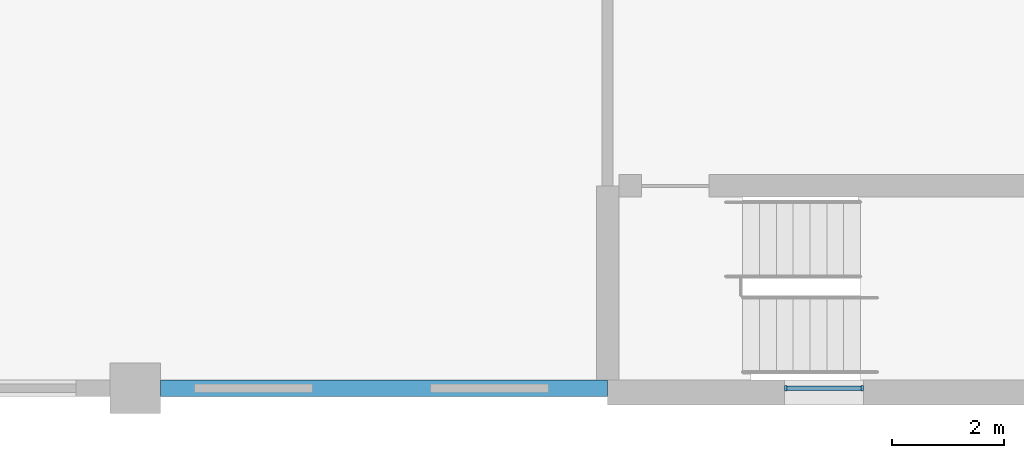
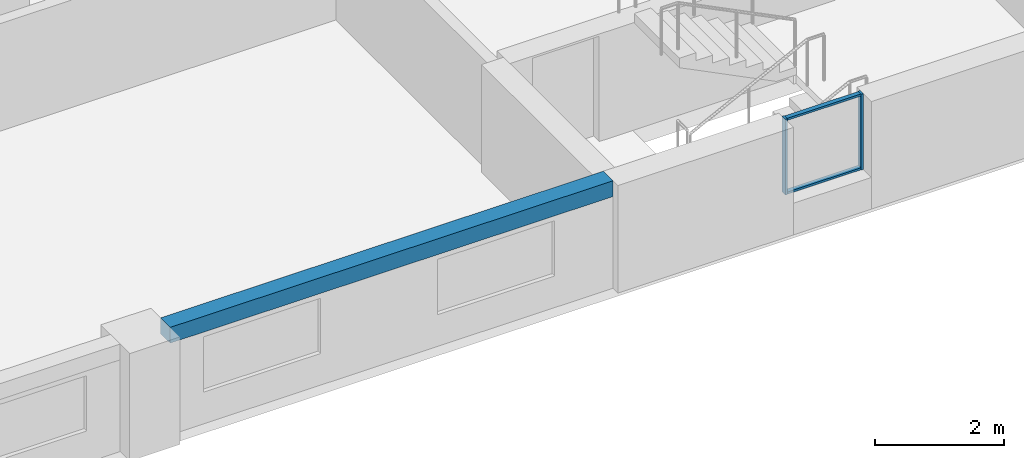
# One storey, part 10 of 48: 4 members, 1 beam, 1 element without a shape of its own.
"""IFC4 building model written with IfcOpenShell, lengths in metres."""

from ifc_helpers import new_model, si_unit, direction, frame, origin, origin_2d, place, context, subcontext, project, spatial, rectangle, extrude, material, material_profile, profile_set, type_object, element, aggregate, save


model = new_model("IFC4")

# Units and contexts
model_context = context("Model", 3, precision=1e-05, world=origin(), true_north=direction((0.0, 1.0)))
body_context = subcontext(model_context, "Body", "Model", "MODEL_VIEW")
ifc_project = project(units=[si_unit("LENGTHUNIT", "METRE"), si_unit("AREAUNIT", "SQUARE_METRE"), si_unit("VOLUMEUNIT", "CUBIC_METRE"), si_unit("PLANEANGLEUNIT", "RADIAN"), si_unit("MASSUNIT", "GRAM", prefix="KILO")], contexts=[model_context])

# Site, building, storey
site_placement = place(None, origin())
site = spatial("IfcSite", under=ifc_project, at=site_placement, CompositionType="ELEMENT")
building_placement = place(site_placement, origin())
building = spatial("IfcBuilding", under=site, at=building_placement, Name="Yavir Park General Hospital", CompositionType="ELEMENT")
storey_placement = place(building_placement, frame((0.0, 0.0, 12.89990234375)))
storey = spatial("IfcBuildingStorey", under=building, at=storey_placement, Name="I02", CompositionType="ELEMENT", Elevation=12.89990234375)

# Beam
ifc_material_1 = material(Name="Concrete C35/45", Category="concrete")
ifc_material_profile_1 = material_profile(ifc_material_1, rectangle(XDim=0.300048828125, YDim=0.300048828125, at=origin_2d()), Name="RC300x300")
ifc_profile_set_1 = profile_set([ifc_material_profile_1], Name="Concrete C35/45")
beam_type = type_object("IfcBeamType", Name="RC BEAM 300x300 edge beam", PredefinedType="BEAM", material=ifc_profile_set_1)
beam_placement = place(storey_placement, frame((92.85009765625, 0.0, 1.89013671875), z_axis=(1.0, 0.0, 0.0), x_axis=(0.0, 1.0, 0.0)))
element("IfcBeam", 1, at=beam_placement, inside=storey, type_object=beam_type, Name="B:EDGE:I02:010", PredefinedType="BEAM", context=body_context, shape_type="SweptSolid", body=[
    extrude(rectangle(XDim=0.300048828125, YDim=0.300048828125, at=origin_2d()), origin(), (0.0, 0.0, 1.0), 7.949951171875),
])

# Curtain wall, members
ifc_material_2 = material(Name="Aluminium curtain wall frame with insulated glazing", Category="aluminium")
curtain_wall_type = type_object("IfcCurtainWallType", Name="Stair light slot, interstitial floor, 1440 high, 1400 module", PredefinedType="NOTDEFINED", material=ifc_material_2)
curtain_wall_placement = place(storey_placement, origin())
curtain_wall = element("IfcCurtainWall", 2, at=curtain_wall_placement, inside=storey, type_object=curtain_wall_type, Name="CW12 I02-003", PredefinedType="NOTDEFINED")
ifc_material_3 = material(Name="Aluminium", Category="aluminium")
ifc_material_profile_2 = material_profile(ifc_material_3, rectangle(XDim=0.10009765625, YDim=0.0400390625, at=origin_2d()), Name="AL 40x100")
ifc_profile_set_2 = profile_set([ifc_material_profile_2], Name="Aluminium")
member_type_1 = type_object("IfcMemberType", Name="Stair light slot, interstitial floor, 1440 high mullion 40 x 100", PredefinedType="MULLION", material=ifc_profile_set_2)
member_1_placement = place(storey_placement, frame((103.969970703125, 0.0, 0.60009765625), z_axis=(0.0, 0.0, 1.0), x_axis=(0.0, 1.0, 0.0)))
member_1 = element("IfcMember", 3, at=member_1_placement, type_object=member_type_1, Name="CW12 mullion 1", PredefinedType="MULLION", context=body_context, shape_type="SweptSolid", body=[
    extrude(rectangle(XDim=0.10009765625, YDim=0.0400390625, at=origin_2d()), origin(), (0.0, 0.0, 1.0), 1.43994140625),
])
member_2_placement = place(storey_placement, frame((105.330078125, 0.0, 0.60009765625), z_axis=(0.0, 0.0, 1.0), x_axis=(0.0, 1.0, 0.0)))
member_2 = element("IfcMember", 4, at=member_2_placement, type_object=member_type_1, Name="CW12 mullion 2", PredefinedType="MULLION", context=body_context, shape_type="SweptSolid", body=[
    extrude(rectangle(XDim=0.10009765625, YDim=0.0400390625, at=origin_2d()), origin(), (0.0, 0.0, 1.0), 1.43994140625),
])
ifc_material_4 = material(Name="Aluminium", Category="aluminium")
ifc_material_profile_3 = material_profile(ifc_material_4, rectangle(XDim=0.080078125, YDim=0.0400390625, at=origin_2d()), Name="AL 80x40")
ifc_profile_set_3 = profile_set([ifc_material_profile_3], Name="Aluminium")
member_type_2 = type_object("IfcMemberType", Name="Stair light slot, interstitial floor, 1440 high transom 40 x 80", PredefinedType="MULLION", material=ifc_profile_set_3)
member_3_placement = place(storey_placement, frame((103.989990234375, 0.0, 0.6201171875), z_axis=(1.0, 0.0, 0.0), x_axis=(0.0, 1.0, 0.0)))
member_3 = element("IfcMember", 5, at=member_3_placement, type_object=member_type_2, Name="CW12 transom 1.1", PredefinedType="MULLION", context=body_context, shape_type="SweptSolid", body=[
    extrude(rectangle(XDim=0.080078125, YDim=0.0400390625, at=origin_2d()), origin(), (0.0, 0.0, 1.0), 1.320068359375),
])
member_4_placement = place(storey_placement, frame((103.989990234375, 0.0, 2.02001953125), z_axis=(1.0, 0.0, 0.0), x_axis=(0.0, 1.0, 0.0)))
member_4 = element("IfcMember", 6, at=member_4_placement, type_object=member_type_2, Name="CW12 transom 1.2", PredefinedType="MULLION", context=body_context, shape_type="SweptSolid", body=[
    extrude(rectangle(XDim=0.080078125, YDim=0.0400390625, at=origin_2d()), origin(), (0.0, 0.0, 1.0), 1.320068359375),
])
aggregate(curtain_wall, [member_1, member_2, member_3, member_4])

save(model, "model.ifc")
